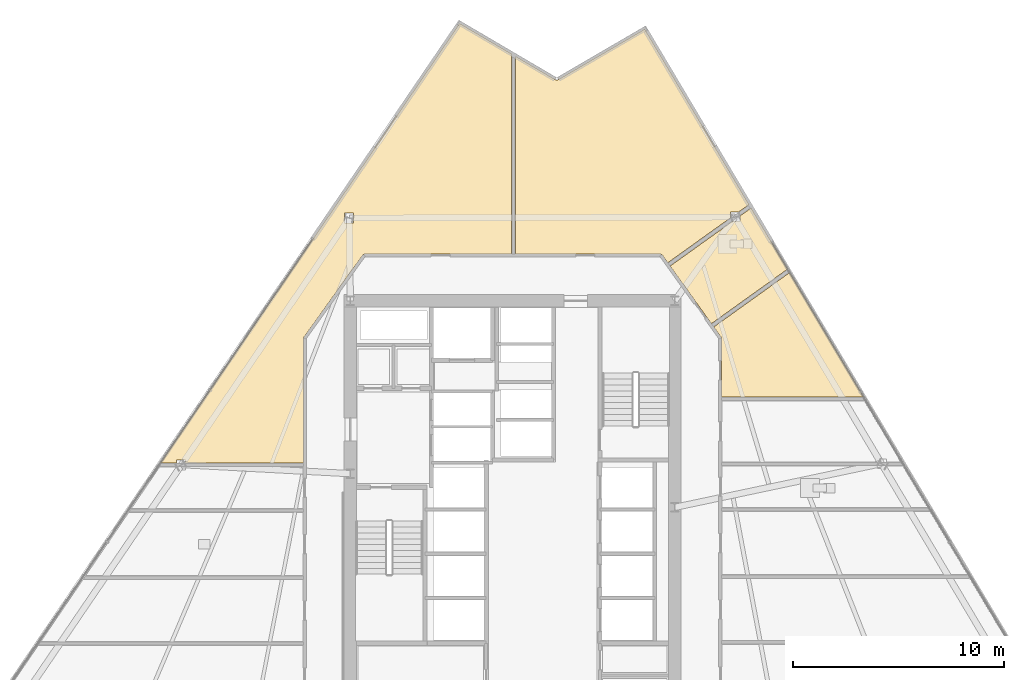
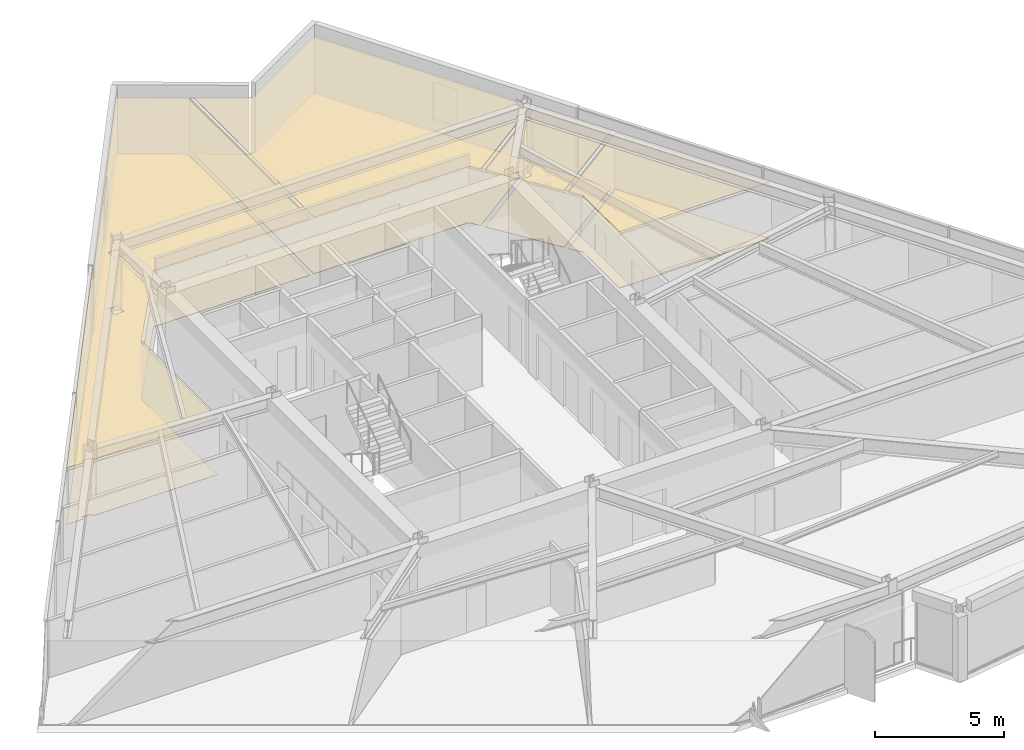
# One storey, part 15 of 16: 8 coverings.
"""IFC4 building model written with IfcOpenShell, lengths in metres."""

from ifc_helpers import new_model, si_unit, direction, frame, origin, place, context, subcontext, project, spatial, polyline, outline, extrude, material, layer, layer_set, type_object, element, save


model = new_model("IFC4")

# Units and contexts
model_context = context("Model", 3, precision=1e-05, world=origin(), true_north=direction((0.0, 1.0)))
body_context = subcontext(model_context, "Body", "Model", "MODEL_VIEW")
ifc_project = project(units=[si_unit("LENGTHUNIT", "METRE"), si_unit("AREAUNIT", "SQUARE_METRE"), si_unit("VOLUMEUNIT", "CUBIC_METRE"), si_unit("PLANEANGLEUNIT", "RADIAN"), si_unit("MASSUNIT", "GRAM", prefix="KILO")], contexts=[model_context])

# Site, building, storey
site_placement = place(None, origin())
site = spatial("IfcSite", under=ifc_project, at=site_placement, CompositionType="ELEMENT")
building_placement = place(site_placement, origin())
building = spatial("IfcBuilding", under=site, at=building_placement, Name="Savorim Split Tower", CompositionType="ELEMENT")
storey_placement = place(building_placement, frame((0.0, 0.0, 51.60009765625)))
storey = spatial("IfcBuildingStorey", under=building, at=storey_placement, Name="L13", CompositionType="ELEMENT", Elevation=51.60009765625)

# Coverings
ifc_material_1 = material(Name="Mineral Fibre Acoustic Ceiling")
ifc_layer_1 = layer(ifc_material_1, 0.02490234375)
ifc_layer_set_1 = layer_set([ifc_layer_1], Name="COV-CEIL-25")
covering_type_1 = type_object("IfcCoveringType", Name="COV-CEIL-25", PredefinedType="CEILING", material=ifc_layer_set_1)
covering_1_placement = place(storey_placement, frame((0.0, 0.0, 2.669921875)))
element("IfcCovering", 1, at=covering_1_placement, inside=storey, type_object=covering_type_1, Name="L13 Quiet Study Room Acoustic Ceiling", PredefinedType="CEILING", context=body_context, shape_type="SweptSolid", body=[
    extrude(outline(polyline([(9.9169921875, 8.4287109375), (9.919189453125, 8.41455078125), (9.919921875, 8.39990234375), (9.919921875, 5.6435546875), (16.65185546875, 5.6435546875), (13.146484375, 11.538818359375), (9.5498046875, 8.9619140625), (9.893798828125, 8.4814453125), (9.901611328125, 8.46923828125), (9.908203125, 8.456298828125), (9.913330078125, 8.44287109375), (9.9169921875, 8.4287109375)])), origin(), (0.0, 0.0, 1.0), 0.02490234375),
])
covering_2_placement = place(storey_placement, frame((0.0, 0.0, 2.669921875)))
element("IfcCovering", 2, at=covering_2_placement, inside=storey, type_object=covering_type_1, Name="L13 Shared Bathroom Acoustic Ceiling", PredefinedType="CEILING", context=body_context, shape_type="SweptSolid", body=[
    extrude(outline(polyline([(10.413818359375, 13.9541015625), (7.479248046875, 11.8515625), (7.479248046875, 11.8515625), (9.439208984375, 9.1162109375), (13.049072265625, 11.702880859375), (11.322998046875, 14.60546875), (10.7841796875, 14.219482421875), (10.7841796875, 13.9541015625), (10.413818359375, 13.9541015625)])), origin(), (0.0, 0.0, 1.0), 0.02490234375),
])
covering_3_placement = place(storey_placement, frame((0.0, 0.0, 2.669921875)))
element("IfcCovering", 3, at=covering_3_placement, inside=storey, type_object=covering_type_1, Name="L13 Co-Working Commons Acoustic Ceiling", PredefinedType="CEILING", context=body_context, shape_type="SweptSolid", body=[
    extrude(outline(polyline([(2.05859375, 20.683837890625), (2.0478515625, 20.688232421875), (2.03759765625, 20.693603515625), (0.13427734375, 21.812255859375), (0.13427734375, 12.419921875), (7.0, 12.419921875), (7.01318359375, 12.41943359375), (7.0263671875, 12.41748046875), (7.039306640625, 12.414306640625), (7.052001953125, 12.409912109375), (7.06396484375, 12.404541015625), (7.075439453125, 12.39794921875), (7.086181640625, 12.39013671875), (7.096435546875, 12.381591796875), (7.105712890625, 12.3720703125), (7.11376953125, 12.361572265625), (7.368408203125, 12.006103515625), (10.352294921875, 14.143798828125), (10.352294921875, 14.4091796875), (10.72265625, 14.4091796875), (11.177978515625, 14.7353515625), (11.2255859375, 14.769287109375), (6.276123046875, 23.093017578125), (2.15869140625, 20.693359375), (2.148681640625, 20.68798828125), (2.137939453125, 20.68359375), (2.126708984375, 20.680419921875), (2.115478515625, 20.67822265625), (2.10400390625, 20.677001953125), (2.09228515625, 20.677001953125), (2.080810546875, 20.67822265625), (2.069580078125, 20.680419921875), (2.05859375, 20.683837890625)])), origin(), (0.0, 0.0, 1.0), 0.02490234375),
])
covering_4_placement = place(storey_placement, frame((0.0, 0.0, 2.669921875)))
element("IfcCovering", 4, at=covering_4_placement, inside=storey, type_object=covering_type_1, Name="L13 Co-Working Commons Acoustic Ceiling", PredefinedType="CEILING", context=body_context, shape_type="SweptSolid", body=[
    extrude(outline(polyline([(-7.0, 12.419921875), (-0.055908203125, 12.419921875), (-0.055908203125, 21.923828125), (-2.510009765625, 23.3662109375), (-16.7001953125, 2.50634765625), (-15.944580078125, 2.50634765625), (-15.944580078125, 2.638916015625), (-15.5126953125, 2.638916015625), (-15.5126953125, 2.50634765625), (-9.919921875, 2.50634765625), (-9.919921875, 8.39990234375), (-9.919189453125, 8.41455078125), (-9.9169921875, 8.4287109375), (-9.913330078125, 8.44287109375), (-9.908203125, 8.456298828125), (-9.901611328125, 8.46923828125), (-9.893798828125, 8.4814453125), (-7.11376953125, 12.361572265625), (-7.105712890625, 12.3720703125), (-7.096435546875, 12.381591796875), (-7.086181640625, 12.39013671875), (-7.075439453125, 12.39794921875), (-7.06396484375, 12.404541015625), (-7.052001953125, 12.409912109375), (-7.039306640625, 12.414306640625), (-7.0263671875, 12.41748046875), (-7.01318359375, 12.41943359375), (-7.0, 12.419921875)]), holes=[polyline([(-7.53857421875, 14.3603515625), (-7.970703125, 14.3603515625), (-7.970703125, 13.905517578125), (-7.53857421875, 13.905517578125), (-7.53857421875, 14.3603515625)])]), origin(), (0.0, 0.0, 1.0), 0.02490234375),
])
ifc_material_2 = material(Name="Porcelain Stoneware Flooring", Category="masonry")
ifc_layer_2 = layer(ifc_material_2, 0.02001953125)
ifc_layer_set_2 = layer_set([ifc_layer_2], Name="COV-FLOR-20")
covering_type_2 = type_object("IfcCoveringType", Name="COV-FLOR-20", PredefinedType="FLOORING", material=ifc_layer_set_2)
covering_5_placement = place(storey_placement, origin())
element("IfcCovering", 5, at=covering_5_placement, inside=storey, type_object=covering_type_2, Name="L13 Quiet Study Room Porcelain Flooring", PredefinedType="FLOORING", context=body_context, shape_type="SweptSolid", body=[
    extrude(outline(polyline([(9.9169921875, 8.4287109375), (9.919189453125, 8.41455078125), (9.919921875, 8.39990234375), (9.919921875, 5.6435546875), (16.65185546875, 5.6435546875), (13.146484375, 11.538818359375), (9.5498046875, 8.9619140625), (9.893798828125, 8.4814453125), (9.901611328125, 8.46923828125), (9.908203125, 8.456298828125), (9.913330078125, 8.44287109375), (9.9169921875, 8.4287109375)])), origin(), (0.0, 0.0, 1.0), 0.02001953125),
])
covering_6_placement = place(storey_placement, origin())
element("IfcCovering", 6, at=covering_6_placement, inside=storey, type_object=covering_type_2, Name="L13 Shared Bathroom Porcelain Flooring", PredefinedType="FLOORING", context=body_context, shape_type="SweptSolid", body=[
    extrude(outline(polyline([(10.413818359375, 13.9541015625), (7.479248046875, 11.8515625), (7.479248046875, 11.8515625), (9.439208984375, 9.1162109375), (13.049072265625, 11.702880859375), (11.322998046875, 14.60546875), (10.7841796875, 14.219482421875), (10.7841796875, 13.9541015625), (10.413818359375, 13.9541015625)])), origin(), (0.0, 0.0, 1.0), 0.02001953125),
])
covering_7_placement = place(storey_placement, origin())
element("IfcCovering", 7, at=covering_7_placement, inside=storey, type_object=covering_type_2, Name="L13 Co-Working Commons Porcelain Flooring", PredefinedType="FLOORING", context=body_context, shape_type="SweptSolid", body=[
    extrude(outline(polyline([(2.05859375, 20.683837890625), (2.0478515625, 20.688232421875), (2.03759765625, 20.693603515625), (0.13427734375, 21.812255859375), (0.13427734375, 12.419921875), (7.0, 12.419921875), (7.01318359375, 12.41943359375), (7.0263671875, 12.41748046875), (7.039306640625, 12.414306640625), (7.052001953125, 12.409912109375), (7.06396484375, 12.404541015625), (7.075439453125, 12.39794921875), (7.086181640625, 12.39013671875), (7.096435546875, 12.381591796875), (7.105712890625, 12.3720703125), (7.11376953125, 12.361572265625), (7.368408203125, 12.006103515625), (10.352294921875, 14.143798828125), (10.352294921875, 14.4091796875), (10.72265625, 14.4091796875), (11.177978515625, 14.7353515625), (11.2255859375, 14.769287109375), (6.276123046875, 23.093017578125), (2.15869140625, 20.693359375), (2.148681640625, 20.68798828125), (2.137939453125, 20.68359375), (2.126708984375, 20.680419921875), (2.115478515625, 20.67822265625), (2.10400390625, 20.677001953125), (2.09228515625, 20.677001953125), (2.080810546875, 20.67822265625), (2.069580078125, 20.680419921875), (2.05859375, 20.683837890625)])), origin(), (0.0, 0.0, 1.0), 0.02001953125),
])
covering_8_placement = place(storey_placement, origin())
element("IfcCovering", 8, at=covering_8_placement, inside=storey, type_object=covering_type_2, Name="L13 Co-Working Commons Porcelain Flooring", PredefinedType="FLOORING", context=body_context, shape_type="SweptSolid", body=[
    extrude(outline(polyline([(-7.0, 12.419921875), (-0.055908203125, 12.419921875), (-0.055908203125, 21.923828125), (-2.510009765625, 23.3662109375), (-16.7001953125, 2.50634765625), (-15.944580078125, 2.50634765625), (-15.944580078125, 2.638916015625), (-15.5126953125, 2.638916015625), (-15.5126953125, 2.50634765625), (-9.919921875, 2.50634765625), (-9.919921875, 8.39990234375), (-9.919189453125, 8.41455078125), (-9.9169921875, 8.4287109375), (-9.913330078125, 8.44287109375), (-9.908203125, 8.456298828125), (-9.901611328125, 8.46923828125), (-9.893798828125, 8.4814453125), (-7.11376953125, 12.361572265625), (-7.105712890625, 12.3720703125), (-7.096435546875, 12.381591796875), (-7.086181640625, 12.39013671875), (-7.075439453125, 12.39794921875), (-7.06396484375, 12.404541015625), (-7.052001953125, 12.409912109375), (-7.039306640625, 12.414306640625), (-7.0263671875, 12.41748046875), (-7.01318359375, 12.41943359375), (-7.0, 12.419921875)]), holes=[polyline([(-7.53857421875, 14.3603515625), (-7.970703125, 14.3603515625), (-7.970703125, 13.905517578125), (-7.53857421875, 13.905517578125), (-7.53857421875, 14.3603515625)])]), origin(), (0.0, 0.0, 1.0), 0.02001953125),
])

save(model, "model.ifc")
